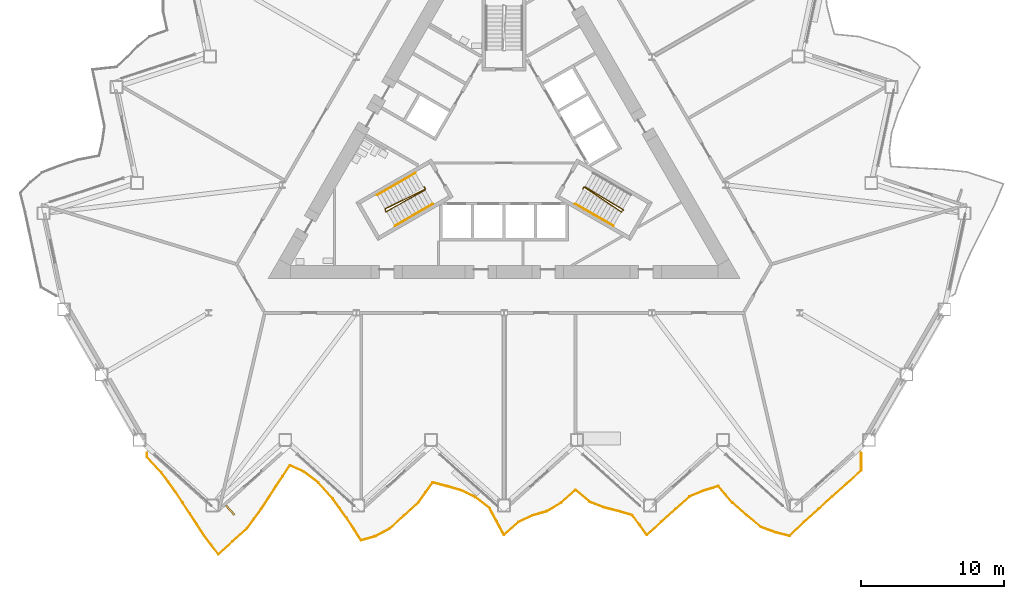
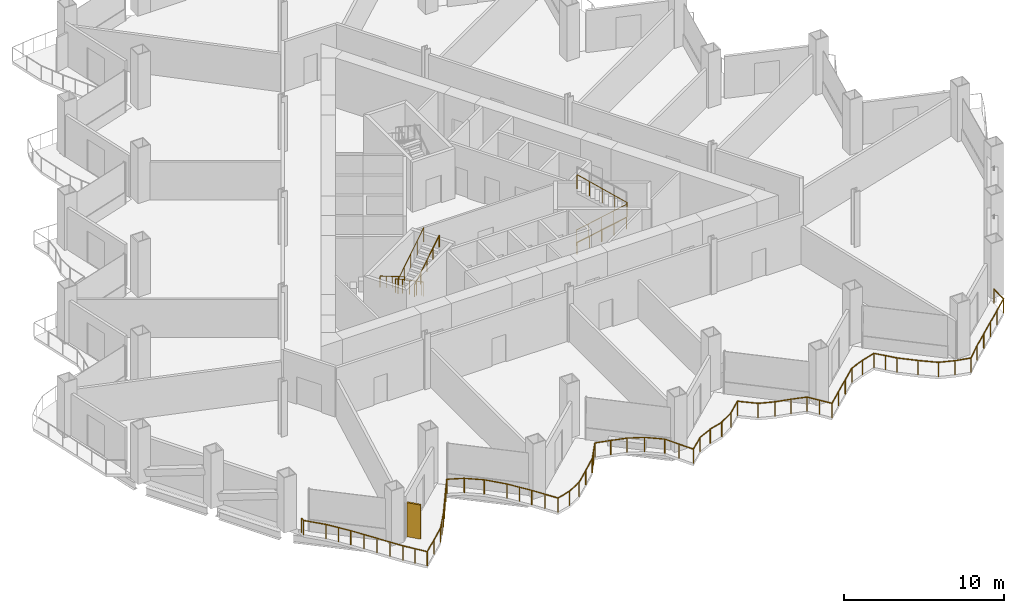
# One storey, part 17 of 21: 6 railings, 1 shading device.
"""IFC4 building model written with IfcOpenShell, lengths in metres."""

from ifc_helpers import new_model, si_unit, direction, frame, origin, origin_2d, place, context, subcontext, project, spatial, rectangle, circle, extrude, material, layer, layer_set, type_object, element, save


model = new_model("IFC4")

# Units and contexts
model_context = context("Model", 3, precision=1e-05, world=origin(), true_north=direction((0.0, 1.0)))
body_context = subcontext(model_context, "Body", "Model", "MODEL_VIEW")
ifc_project = project(units=[si_unit("LENGTHUNIT", "METRE"), si_unit("AREAUNIT", "SQUARE_METRE"), si_unit("VOLUMEUNIT", "CUBIC_METRE"), si_unit("PLANEANGLEUNIT", "RADIAN"), si_unit("MASSUNIT", "GRAM", prefix="KILO")], contexts=[model_context])

# Site, building, storey
site_placement = place(None, origin())
site = spatial("IfcSite", under=ifc_project, at=site_placement, CompositionType="ELEMENT")
building_placement = place(site_placement, origin())
building = spatial("IfcBuilding", under=site, at=building_placement, Name="Cormorant Prow Tower", CompositionType="ELEMENT")
storey_placement = place(building_placement, frame((0.0, 0.0, 103.800048828125)))
storey = spatial("IfcBuildingStorey", under=building, at=storey_placement, Name="L21", CompositionType="ELEMENT", Elevation=103.800048828125)

# Railings
ifc_material_1 = material(Name="Aluminium 6063-T6", Category="aluminium")
railing_type_1 = type_object("IfcRailingType", Name="Balcony guard 1100", PredefinedType="GUARDRAIL", material=ifc_material_1)
railing_1_placement = place(storey_placement, frame((-24.96337890625, -21.73486328125, 0.0)))
element("IfcRailing", 1, at=railing_1_placement, inside=storey, type_object=railing_type_1, Name="Balcony guard S", PredefinedType="GUARDRAIL", context=body_context, shape_type="SweptSolid", body=[
    extrude(circle(Radius=0.02392578125, at=origin_2d()), frame((0.0, 0.0, 1.076171875), z_axis=(0.0, -1.0, 0.0), x_axis=(1.0, 0.0, 0.0)), (0.0, 0.0, 1.0), 0.27001953125),
    extrude(circle(Radius=0.02392578125, at=origin_2d()), frame((0.0, -0.27001953125, 1.076171875), z_axis=(0.682579839343, -0.730811030925, 0.0), x_axis=(0.730811030925, 0.682579839343, 0.0)), (0.0, 0.0, 1.0), 1.462890625),
    extrude(circle(Radius=0.02392578125, at=origin_2d()), frame((0.99853515625, -1.339111328125, 1.076171875), z_axis=(0.590968956479, -0.806694299272, 0.0), x_axis=(0.806694299272, 0.590968956479, 0.0)), (0.0, 0.0, 1.0), 1.689697265625),
    extrude(circle(Radius=0.02392578125, at=origin_2d()), frame((1.9970703125, -2.7021484375, 1.076171875), z_axis=(0.546471548689, -0.837477669238, 0.0), x_axis=(0.837477669238, 0.546471548689, 0.0)), (0.0, 0.0, 1.0), 1.8271484375),
    extrude(circle(Radius=0.02392578125, at=origin_2d()), frame((2.99560546875, -4.232421875, 1.076171875), z_axis=(0.547389987267, -0.83687765046, 0.0), x_axis=(0.83687765046, 0.547389987267, 0.0)), (0.0, 0.0, 1.0), 1.82421875),
    extrude(circle(Radius=0.02392578125, at=origin_2d()), frame((3.994140625, -5.759033203125, 1.076171875), z_axis=(0.607268224345, -0.794496887156, 0.0), x_axis=(0.794496887156, 0.607268224345, 0.0)), (0.0, 0.0, 1.0), 1.644287109375),
    extrude(circle(Radius=0.02392578125, at=origin_2d()), frame((4.99267578125, -7.0654296875, 1.076171875), z_axis=(0.743203785227, 0.669065119121, 0.0), x_axis=(-0.669065119121, 0.743203785227, 0.0)), (0.0, 0.0, 1.0), 1.343505859375),
    extrude(circle(Radius=0.02392578125, at=origin_2d()), frame((5.9912109375, -6.16650390625, 1.076171875), z_axis=(0.743113432622, 0.669165470012, 0.0), x_axis=(-0.669165470012, 0.743113432622, 0.0)), (0.0, 0.0, 1.0), 1.34375),
    extrude(circle(Radius=0.02392578125, at=origin_2d()), frame((6.98974609375, -5.267333984375, 1.076171875), z_axis=(0.591934476972, 0.805986088572, 0.0), x_axis=(-0.805986088572, 0.591934476972, 0.0)), (0.0, 0.0, 1.0), 1.68701171875),
    extrude(circle(Radius=0.02392578125, at=origin_2d()), frame((7.98828125, -3.90771484375, 1.076171875), z_axis=(0.545494552009, 0.838114367928, 0.0), x_axis=(-0.838114367928, 0.545494552009, 0.0)), (0.0, 0.0, 1.0), 1.83056640625),
    extrude(circle(Radius=0.02392578125, at=origin_2d()), frame((8.98681640625, -2.37353515625, 1.076171875), z_axis=(0.54861835164, 0.836072906057, 0.0), x_axis=(-0.836072906057, 0.54861835164, 0.0)), (0.0, 0.0, 1.0), 1.820068359375),
    extrude(circle(Radius=0.02392578125, at=origin_2d()), frame((9.9853515625, -0.851806640625, 1.076171875), z_axis=(0.908945537038, -0.416914872245, 0.0), x_axis=(0.416914872245, 0.908945537038, 0.0)), (0.0, 0.0, 1.0), 1.0986328125),
    extrude(circle(Radius=0.02392578125, at=origin_2d()), frame((10.98388671875, -1.309814453125, 1.076171875), z_axis=(0.795730852914, -0.60565040223, 0.0), x_axis=(0.60565040223, 0.795730852914, 0.0)), (0.0, 0.0, 1.0), 1.2548828125),
    extrude(circle(Radius=0.02392578125, at=origin_2d()), frame((11.982421875, -2.06982421875, 1.076171875), z_axis=(0.672345440589, -0.740237535201, 0.0), x_axis=(0.740237535201, 0.672345440589, 0.0)), (0.0, 0.0, 1.0), 1.485107421875),
    extrude(circle(Radius=0.02392578125, at=origin_2d()), frame((12.98095703125, -3.169189453125, 1.076171875), z_axis=(0.584884728134, -0.811116424933, 0.0), x_axis=(0.811116424933, 0.584884728134, 0.0)), (0.0, 0.0, 1.0), 1.707275390625),
    extrude(circle(Radius=0.02392578125, at=origin_2d()), frame((13.9794921875, -4.553955078125, 1.076171875), z_axis=(0.544641936525, -0.838668683676, 0.0), x_axis=(0.838668683676, 0.544641936525, 0.0)), (0.0, 0.0, 1.0), 1.83349609375),
    extrude(circle(Radius=0.02392578125, at=origin_2d()), frame((14.97802734375, -6.091552734375, 1.076171875), z_axis=(0.962547362073, 0.271113584623, 0.0), x_axis=(-0.271113584623, 0.962547362073, 0.0)), (0.0, 0.0, 1.0), 1.037353515625),
    extrude(circle(Radius=0.02392578125, at=origin_2d()), frame((15.9765625, -5.810302734375, 1.076171875), z_axis=(0.878518696106, 0.477707965804, 0.0), x_axis=(-0.477707965804, 0.878518696106, 0.0)), (0.0, 0.0, 1.0), 1.13671875),
    extrude(circle(Radius=0.02392578125, at=origin_2d()), frame((16.97509765625, -5.267333984375, 1.076171875), z_axis=(0.743113432622, 0.669165470012, 0.0), x_axis=(-0.669165470012, 0.743113432622, 0.0)), (0.0, 0.0, 1.0), 1.34375),
    extrude(circle(Radius=0.02392578125, at=origin_2d()), frame((17.9736328125, -4.3681640625, 1.076171875), z_axis=(0.736271766287, 0.676685958306, 0.0), x_axis=(-0.676685958306, 0.736271766287, 0.0)), (0.0, 0.0, 1.0), 1.356201171875),
    extrude(circle(Radius=0.02392578125, at=origin_2d()), frame((18.97216796875, -3.450439453125, 1.076171875), z_axis=(0.582045609619, 0.813156140187, 0.0), x_axis=(-0.813156140187, 0.582045609619, 0.0)), (0.0, 0.0, 1.0), 1.715576171875),
    extrude(circle(Radius=0.02392578125, at=origin_2d()), frame((19.970703125, -2.055419921875, 1.076171875), z_axis=(0.968362271516, -0.249548614713, 0.0), x_axis=(0.249548614713, 0.968362271516, 0.0)), (0.0, 0.0, 1.0), 1.03125),
    extrude(circle(Radius=0.02392578125, at=origin_2d()), frame((20.96923828125, -2.312744140625, 1.076171875), z_axis=(0.961248532292, -0.275683258772, 0.0), x_axis=(0.275683258772, 0.961248532292, 0.0)), (0.0, 0.0, 1.0), 1.038818359375),
    extrude(circle(Radius=0.02392578125, at=origin_2d()), frame((21.9677734375, -2.59912109375, 1.076171875), z_axis=(0.90050704503, -0.4348414215, 0.0), x_axis=(0.4348414215, 0.90050704503, 0.0)), (0.0, 0.0, 1.0), 1.10888671875),
    extrude(circle(Radius=0.02392578125, at=origin_2d()), frame((22.96630859375, -3.081298828125, 1.076171875), z_axis=(0.783851476341, -0.620948357786, 0.0), x_axis=(0.620948357786, 0.783851476341, 0.0)), (0.0, 0.0, 1.0), 1.27392578125),
    extrude(circle(Radius=0.02392578125, at=origin_2d()), frame((23.96484375, -3.872314453125, 1.076171875), z_axis=(0.476320665365, -0.879271643889, 0.0), x_axis=(0.879271643889, 0.476320665365, 0.0)), (0.0, 0.0, 1.0), 2.096435546875),
    extrude(circle(Radius=0.02392578125, at=origin_2d()), frame((24.96337890625, -5.715576171875, 1.076171875), z_axis=(0.743113432622, 0.669165470012, 0.0), x_axis=(-0.669165470012, 0.743113432622, 0.0)), (0.0, 0.0, 1.0), 1.34375),
    extrude(circle(Radius=0.02392578125, at=origin_2d()), frame((25.9619140625, -4.81640625, 1.076171875), z_axis=(0.907426176512, 0.42021153504, 0.0), x_axis=(-0.42021153504, 0.907426176512, 0.0)), (0.0, 0.0, 1.0), 1.100341796875),
    extrude(circle(Radius=0.02392578125, at=origin_2d()), frame((26.96044921875, -4.35400390625, 1.076171875), z_axis=(0.959805272893, 0.280666774176, 0.0), x_axis=(-0.280666774176, 0.959805272893, 0.0)), (0.0, 0.0, 1.0), 1.040283203125),
    extrude(circle(Radius=0.02392578125, at=origin_2d()), frame((27.958984375, -4.06201171875, 1.076171875), z_axis=(0.85989512001, 0.51047074606, 0.0), x_axis=(-0.51047074606, 0.85989512001, 0.0)), (0.0, 0.0, 1.0), 1.1611328125),
    extrude(circle(Radius=0.02392578125, at=origin_2d()), frame((28.95751953125, -3.46923828125, 1.076171875), z_axis=(0.743113432622, 0.669165470012, 0.0), x_axis=(-0.669165470012, 0.743113432622, 0.0)), (0.0, 0.0, 1.0), 1.34375),
    extrude(circle(Radius=0.02392578125, at=origin_2d()), frame((29.9560546875, -2.570068359375, 1.076171875), z_axis=(0.763457084492, -0.645858560475, 0.0), x_axis=(0.645858560475, 0.763457084492, 0.0)), (0.0, 0.0, 1.0), 1.307861328125),
    extrude(circle(Radius=0.02392578125, at=origin_2d()), frame((30.95458984375, -3.414794921875, 1.076171875), z_axis=(0.933657077143, -0.358168203921, 0.0), x_axis=(0.358168203921, 0.933657077143, 0.0)), (0.0, 0.0, 1.0), 1.069580078125),
    extrude(circle(Radius=0.02392578125, at=origin_2d()), frame((31.953125, -3.7978515625, 1.076171875), z_axis=(0.969441353557, -0.245323178712, 0.0), x_axis=(0.245323178712, 0.969441353557, 0.0)), (0.0, 0.0, 1.0), 1.030029296875),
    extrude(circle(Radius=0.02392578125, at=origin_2d()), frame((32.95166015625, -4.050537109375, 1.076171875), z_axis=(0.958212304313, -0.286058000872, 0.0), x_axis=(0.286058000872, 0.958212304313, 0.0)), (0.0, 0.0, 1.0), 1.0419921875),
    extrude(circle(Radius=0.02392578125, at=origin_2d()), frame((33.9501953125, -4.3486328125, 1.076171875), z_axis=(0.5898683241, -0.807499449055, 0.0), x_axis=(0.807499449055, 0.5898683241, 0.0)), (0.0, 0.0, 1.0), 1.69287109375),
    extrude(circle(Radius=0.02392578125, at=origin_2d()), frame((34.94873046875, -5.715576171875, 1.076171875), z_axis=(0.743113432622, 0.669165470012, 0.0), x_axis=(-0.669165470012, 0.743113432622, 0.0)), (0.0, 0.0, 1.0), 1.34375),
    extrude(circle(Radius=0.02392578125, at=origin_2d()), frame((35.947265625, -4.81640625, 1.076171875), z_axis=(0.743113432622, 0.669165470012, 0.0), x_axis=(-0.669165470012, 0.743113432622, 0.0)), (0.0, 0.0, 1.0), 1.34375),
    extrude(circle(Radius=0.02392578125, at=origin_2d()), frame((36.94580078125, -3.917236328125, 1.076171875), z_axis=(0.743203785227, 0.669065119121, 0.0), x_axis=(-0.669065119121, 0.743203785227, 0.0)), (0.0, 0.0, 1.0), 1.343505859375),
    extrude(circle(Radius=0.02392578125, at=origin_2d()), frame((37.9443359375, -3.018310546875, 1.076171875), z_axis=(0.927535321824, 0.373735503757, 0.0), x_axis=(-0.373735503757, 0.927535321824, 0.0)), (0.0, 0.0, 1.0), 1.07666015625),
    extrude(circle(Radius=0.02392578125, at=origin_2d()), frame((38.94287109375, -2.615966796875, 1.076171875), z_axis=(0.956594534047, 0.291422197903, 0.0), x_axis=(-0.291422197903, 0.956594534047, 0.0)), (0.0, 0.0, 1.0), 1.0439453125),
    extrude(circle(Radius=0.02392578125, at=origin_2d()), frame((39.94140625, -2.311767578125, 1.076171875), z_axis=(0.653208122413, -0.757178412802, 0.0), x_axis=(0.757178412802, 0.653208122413, 0.0)), (0.0, 0.0, 1.0), 1.528564453125),
    extrude(circle(Radius=0.02392578125, at=origin_2d()), frame((40.93994140625, -3.46923828125, 1.076171875), z_axis=(0.743203785227, -0.669065119121, 0.0), x_axis=(0.669065119121, 0.743203785227, 0.0)), (0.0, 0.0, 1.0), 1.343505859375),
    extrude(circle(Radius=0.02392578125, at=origin_2d()), frame((41.9384765625, -4.3681640625, 1.076171875), z_axis=(0.777798148966, -0.62851415216, 0.0), x_axis=(0.62851415216, 0.777798148966, 0.0)), (0.0, 0.0, 1.0), 1.28369140625),
    extrude(circle(Radius=0.02392578125, at=origin_2d()), frame((42.93701171875, -5.175048828125, 1.076171875), z_axis=(0.939444203262, -0.342701895175, 0.0), x_axis=(0.342701895175, 0.939444203262, 0.0)), (0.0, 0.0, 1.0), 1.06298828125),
    extrude(circle(Radius=0.02392578125, at=origin_2d()), frame((43.935546875, -5.539306640625, 1.076171875), z_axis=(0.970226166734, -0.242200713016, 0.0), x_axis=(0.242200713016, 0.970226166734, 0.0)), (0.0, 0.0, 1.0), 1.029296875),
    extrude(circle(Radius=0.02392578125, at=origin_2d()), frame((44.93408203125, -5.78857421875, 1.076171875), z_axis=(0.716503446644, 0.697583551231, 0.0), x_axis=(-0.697583551231, 0.716503446644, 0.0)), (0.0, 0.0, 1.0), 1.3935546875),
    extrude(circle(Radius=0.02392578125, at=origin_2d()), frame((45.9326171875, -4.81640625, 1.076171875), z_axis=(0.743113432622, 0.669165470012, 0.0), x_axis=(-0.669165470012, 0.743113432622, 0.0)), (0.0, 0.0, 1.0), 1.34375),
    extrude(circle(Radius=0.02392578125, at=origin_2d()), frame((46.93115234375, -3.917236328125, 1.076171875), z_axis=(0.743203785227, 0.669065119121, 0.0), x_axis=(-0.669065119121, 0.743203785227, 0.0)), (0.0, 0.0, 1.0), 1.343505859375),
    extrude(circle(Radius=0.02392578125, at=origin_2d()), frame((47.9296875, -3.018310546875, 1.076171875), z_axis=(0.743113432622, 0.669165470012, 0.0), x_axis=(-0.669165470012, 0.743113432622, 0.0)), (0.0, 0.0, 1.0), 1.34375),
    extrude(circle(Radius=0.02392578125, at=origin_2d()), frame((48.92822265625, -2.119140625, 1.076171875), z_axis=(0.743113432622, 0.669165470012, 0.0), x_axis=(-0.669165470012, 0.743113432622, 0.0)), (0.0, 0.0, 1.0), 1.34375),
    extrude(circle(Radius=0.02392578125, at=origin_2d()), frame((49.9267578125, -1.219970703125, 1.076171875), z_axis=(0.0, 1.0, 0.0), x_axis=(-1.0, 0.0, 0.0)), (0.0, 0.0, 1.0), 1.219970703125),
    extrude(circle(Radius=0.02099609375, at=origin_2d()), origin(), (0.0, 0.0, 1.0), 1.052001953125),
    extrude(circle(Radius=0.02099609375, at=origin_2d()), frame((0.0, -0.27001953125, 0.0)), (0.0, 0.0, 1.0), 1.052001953125),
    extrude(circle(Radius=0.02099609375, at=origin_2d()), frame((0.99853515625, -1.339111328125, 0.0)), (0.0, 0.0, 1.0), 1.052001953125),
    extrude(circle(Radius=0.02099609375, at=origin_2d()), frame((1.497802734375, -2.0205078125, 0.0)), (0.0, 0.0, 1.0), 1.052001953125),
    extrude(circle(Radius=0.02099609375, at=origin_2d()), frame((1.9970703125, -2.7021484375, 0.0)), (0.0, 0.0, 1.0), 1.052001953125),
    extrude(circle(Radius=0.02099609375, at=origin_2d()), frame((2.496337890625, -3.46728515625, 0.0)), (0.0, 0.0, 1.0), 1.052001953125),
    extrude(circle(Radius=0.02099609375, at=origin_2d()), frame((2.99560546875, -4.232421875, 0.0)), (0.0, 0.0, 1.0), 1.052001953125),
    extrude(circle(Radius=0.02099609375, at=origin_2d()), frame((3.494873046875, -4.99560546875, 0.0)), (0.0, 0.0, 1.0), 1.052001953125),
    extrude(circle(Radius=0.02099609375, at=origin_2d()), frame((3.994140625, -5.759033203125, 0.0)), (0.0, 0.0, 1.0), 1.052001953125),
    extrude(circle(Radius=0.02099609375, at=origin_2d()), frame((4.493408203125, -6.412109375, 0.0)), (0.0, 0.0, 1.0), 1.052001953125),
    extrude(circle(Radius=0.02099609375, at=origin_2d()), frame((4.99267578125, -7.0654296875, 0.0)), (0.0, 0.0, 1.0), 1.052001953125),
    extrude(circle(Radius=0.02099609375, at=origin_2d()), frame((5.9912109375, -6.16650390625, 0.0)), (0.0, 0.0, 1.0), 1.052001953125),
    extrude(circle(Radius=0.02099609375, at=origin_2d()), frame((6.98974609375, -5.267333984375, 0.0)), (0.0, 0.0, 1.0), 1.052001953125),
    extrude(circle(Radius=0.02099609375, at=origin_2d()), frame((7.489013671875, -4.58740234375, 0.0)), (0.0, 0.0, 1.0), 1.052001953125),
    extrude(circle(Radius=0.02099609375, at=origin_2d()), frame((7.98828125, -3.90771484375, 0.0)), (0.0, 0.0, 1.0), 1.052001953125),
    extrude(circle(Radius=0.02099609375, at=origin_2d()), frame((8.487548828125, -3.140625, 0.0)), (0.0, 0.0, 1.0), 1.052001953125),
    extrude(circle(Radius=0.02099609375, at=origin_2d()), frame((8.98681640625, -2.37353515625, 0.0)), (0.0, 0.0, 1.0), 1.052001953125),
    extrude(circle(Radius=0.02099609375, at=origin_2d()), frame((9.486083984375, -1.61279296875, 0.0)), (0.0, 0.0, 1.0), 1.052001953125),
    extrude(circle(Radius=0.02099609375, at=origin_2d()), frame((9.9853515625, -0.851806640625, 0.0)), (0.0, 0.0, 1.0), 1.052001953125),
    extrude(circle(Radius=0.02099609375, at=origin_2d()), frame((10.98388671875, -1.309814453125, 0.0)), (0.0, 0.0, 1.0), 1.052001953125),
    extrude(circle(Radius=0.02099609375, at=origin_2d()), frame((11.982421875, -2.06982421875, 0.0)), (0.0, 0.0, 1.0), 1.052001953125),
    extrude(circle(Radius=0.02099609375, at=origin_2d()), frame((12.98095703125, -3.169189453125, 0.0)), (0.0, 0.0, 1.0), 1.052001953125),
    extrude(circle(Radius=0.02099609375, at=origin_2d()), frame((13.480224609375, -3.861572265625, 0.0)), (0.0, 0.0, 1.0), 1.052001953125),
    extrude(circle(Radius=0.02099609375, at=origin_2d()), frame((13.9794921875, -4.553955078125, 0.0)), (0.0, 0.0, 1.0), 1.052001953125),
    extrude(circle(Radius=0.02099609375, at=origin_2d()), frame((14.478759765625, -5.32275390625, 0.0)), (0.0, 0.0, 1.0), 1.052001953125),
    extrude(circle(Radius=0.02099609375, at=origin_2d()), frame((14.97802734375, -6.091552734375, 0.0)), (0.0, 0.0, 1.0), 1.052001953125),
    extrude(circle(Radius=0.02099609375, at=origin_2d()), frame((15.9765625, -5.810302734375, 0.0)), (0.0, 0.0, 1.0), 1.052001953125),
    extrude(circle(Radius=0.02099609375, at=origin_2d()), frame((16.97509765625, -5.267333984375, 0.0)), (0.0, 0.0, 1.0), 1.052001953125),
    extrude(circle(Radius=0.02099609375, at=origin_2d()), frame((17.9736328125, -4.3681640625, 0.0)), (0.0, 0.0, 1.0), 1.052001953125),
    extrude(circle(Radius=0.02099609375, at=origin_2d()), frame((18.97216796875, -3.450439453125, 0.0)), (0.0, 0.0, 1.0), 1.052001953125),
    extrude(circle(Radius=0.02099609375, at=origin_2d()), frame((19.471435546875, -2.7529296875, 0.0)), (0.0, 0.0, 1.0), 1.052001953125),
    extrude(circle(Radius=0.02099609375, at=origin_2d()), frame((19.970703125, -2.055419921875, 0.0)), (0.0, 0.0, 1.0), 1.052001953125),
    extrude(circle(Radius=0.02099609375, at=origin_2d()), frame((20.96923828125, -2.312744140625, 0.0)), (0.0, 0.0, 1.0), 1.052001953125),
    extrude(circle(Radius=0.02099609375, at=origin_2d()), frame((21.9677734375, -2.59912109375, 0.0)), (0.0, 0.0, 1.0), 1.052001953125),
    extrude(circle(Radius=0.02099609375, at=origin_2d()), frame((22.96630859375, -3.081298828125, 0.0)), (0.0, 0.0, 1.0), 1.052001953125),
    extrude(circle(Radius=0.02099609375, at=origin_2d()), frame((23.96484375, -3.872314453125, 0.0)), (0.0, 0.0, 1.0), 1.052001953125),
    extrude(circle(Radius=0.02099609375, at=origin_2d()), frame((24.464111328125, -4.7939453125, 0.0)), (0.0, 0.0, 1.0), 1.052001953125),
    extrude(circle(Radius=0.02099609375, at=origin_2d()), frame((24.96337890625, -5.715576171875, 0.0)), (0.0, 0.0, 1.0), 1.052001953125),
    extrude(circle(Radius=0.02099609375, at=origin_2d()), frame((25.9619140625, -4.81640625, 0.0)), (0.0, 0.0, 1.0), 1.052001953125),
    extrude(circle(Radius=0.02099609375, at=origin_2d()), frame((26.96044921875, -4.35400390625, 0.0)), (0.0, 0.0, 1.0), 1.052001953125),
    extrude(circle(Radius=0.02099609375, at=origin_2d()), frame((27.958984375, -4.06201171875, 0.0)), (0.0, 0.0, 1.0), 1.052001953125),
    extrude(circle(Radius=0.02099609375, at=origin_2d()), frame((28.95751953125, -3.46923828125, 0.0)), (0.0, 0.0, 1.0), 1.052001953125),
    extrude(circle(Radius=0.02099609375, at=origin_2d()), frame((29.9560546875, -2.570068359375, 0.0)), (0.0, 0.0, 1.0), 1.052001953125),
    extrude(circle(Radius=0.02099609375, at=origin_2d()), frame((30.95458984375, -3.414794921875, 0.0)), (0.0, 0.0, 1.0), 1.052001953125),
    extrude(circle(Radius=0.02099609375, at=origin_2d()), frame((31.953125, -3.7978515625, 0.0)), (0.0, 0.0, 1.0), 1.052001953125),
    extrude(circle(Radius=0.02099609375, at=origin_2d()), frame((32.95166015625, -4.050537109375, 0.0)), (0.0, 0.0, 1.0), 1.052001953125),
    extrude(circle(Radius=0.02099609375, at=origin_2d()), frame((33.9501953125, -4.3486328125, 0.0)), (0.0, 0.0, 1.0), 1.052001953125),
    extrude(circle(Radius=0.02099609375, at=origin_2d()), frame((34.449462890625, -5.0322265625, 0.0)), (0.0, 0.0, 1.0), 1.052001953125),
    extrude(circle(Radius=0.02099609375, at=origin_2d()), frame((34.94873046875, -5.715576171875, 0.0)), (0.0, 0.0, 1.0), 1.052001953125),
    extrude(circle(Radius=0.02099609375, at=origin_2d()), frame((35.947265625, -4.81640625, 0.0)), (0.0, 0.0, 1.0), 1.052001953125),
    extrude(circle(Radius=0.02099609375, at=origin_2d()), frame((36.94580078125, -3.917236328125, 0.0)), (0.0, 0.0, 1.0), 1.052001953125),
    extrude(circle(Radius=0.02099609375, at=origin_2d()), frame((37.9443359375, -3.018310546875, 0.0)), (0.0, 0.0, 1.0), 1.052001953125),
    extrude(circle(Radius=0.02099609375, at=origin_2d()), frame((38.94287109375, -2.615966796875, 0.0)), (0.0, 0.0, 1.0), 1.052001953125),
    extrude(circle(Radius=0.02099609375, at=origin_2d()), frame((39.94140625, -2.311767578125, 0.0)), (0.0, 0.0, 1.0), 1.052001953125),
    extrude(circle(Radius=0.02099609375, at=origin_2d()), frame((40.440673828125, -2.890625, 0.0)), (0.0, 0.0, 1.0), 1.052001953125),
    extrude(circle(Radius=0.02099609375, at=origin_2d()), frame((40.93994140625, -3.46923828125, 0.0)), (0.0, 0.0, 1.0), 1.052001953125),
    extrude(circle(Radius=0.02099609375, at=origin_2d()), frame((41.9384765625, -4.3681640625, 0.0)), (0.0, 0.0, 1.0), 1.052001953125),
    extrude(circle(Radius=0.02099609375, at=origin_2d()), frame((42.93701171875, -5.175048828125, 0.0)), (0.0, 0.0, 1.0), 1.052001953125),
    extrude(circle(Radius=0.02099609375, at=origin_2d()), frame((43.935546875, -5.539306640625, 0.0)), (0.0, 0.0, 1.0), 1.052001953125),
    extrude(circle(Radius=0.02099609375, at=origin_2d()), frame((44.93408203125, -5.78857421875, 0.0)), (0.0, 0.0, 1.0), 1.052001953125),
    extrude(circle(Radius=0.02099609375, at=origin_2d()), frame((45.9326171875, -4.81640625, 0.0)), (0.0, 0.0, 1.0), 1.052001953125),
    extrude(circle(Radius=0.02099609375, at=origin_2d()), frame((46.93115234375, -3.917236328125, 0.0)), (0.0, 0.0, 1.0), 1.052001953125),
    extrude(circle(Radius=0.02099609375, at=origin_2d()), frame((47.9296875, -3.018310546875, 0.0)), (0.0, 0.0, 1.0), 1.052001953125),
    extrude(circle(Radius=0.02099609375, at=origin_2d()), frame((48.92822265625, -2.119140625, 0.0)), (0.0, 0.0, 1.0), 1.052001953125),
    extrude(circle(Radius=0.02099609375, at=origin_2d()), frame((49.9267578125, -1.219970703125, 0.0)), (0.0, 0.0, 1.0), 1.052001953125),
    extrude(circle(Radius=0.02099609375, at=origin_2d()), frame((49.9267578125, 0.0, 0.0)), (0.0, 0.0, 1.0), 1.052001953125),
])
ifc_material_2 = material(Name="Stainless steel", Category="steel")
railing_type_2 = type_object("IfcRailingType", Name="Stair guard 1100", PredefinedType="GUARDRAIL", material=ifc_material_2)
railing_2_placement = place(storey_placement, frame((-5.585205078125, -3.137939453125, 0.0)))
element("IfcRailing", 2, at=railing_2_placement, inside=storey, type_object=railing_type_2, Name="L21 ST1 stair guard 1", PredefinedType="GUARDRAIL", context=body_context, shape_type="SweptSolid", body=[
    extrude(circle(Radius=0.02392578125, at=origin_2d()), frame((0.0, 0.0, 1.076171875), z_axis=(0.501036270542, -0.865426285481, 0.0), x_axis=(0.865426285481, 0.501036270542, 0.0)), (0.0, 0.0, 1.0), 0.150146484375),
    extrude(circle(Radius=0.02392578125, at=origin_2d()), frame((0.0751953125, -0.1298828125, 1.076171875), z_axis=(-0.744670798681, -0.368745611333, 0.556320119817), x_axis=(0.443754251299, -0.896148516963, 0.0)), (0.0, 0.0, 1.0), 3.774658203125),
    extrude(circle(Radius=0.02392578125, at=origin_2d()), frame((-2.735595703125, -1.521728515625, 3.17578125), z_axis=(0.274721127897, -0.961523947641, 0.0), x_axis=(0.961523947641, 0.274721127897, 0.0)), (0.0, 0.0, 1.0), 0.2060546875),
    extrude(circle(Radius=0.02392578125, at=origin_2d()), frame((-2.678955078125, -1.719970703125, 3.17578125), z_axis=(0.725738344322, 0.403670096391, 0.557094524171), x_axis=(-0.486086505765, 0.873910698477, 0.0)), (0.0, 0.0, 1.0), 3.769775390625),
    extrude(circle(Radius=0.02099609375, at=origin_2d()), origin(), (0.0, 0.0, 1.0), 1.052001953125),
    extrude(circle(Radius=0.02099609375, at=origin_2d()), frame((0.0751953125, -0.1298828125, 0.0)), (0.0, 0.0, 1.0), 1.052001953125),
    extrude(circle(Radius=0.02099609375, at=origin_2d()), frame((-0.62744140625, -0.477783203125, 0.52490234375)), (0.0, 0.0, 1.0), 1.052001953125),
    extrude(circle(Radius=0.02099609375, at=origin_2d()), frame((-1.330078125, -0.82568359375, 1.0498046875)), (0.0, 0.0, 1.0), 1.052001953125),
    extrude(circle(Radius=0.02099609375, at=origin_2d()), frame((-2.032958984375, -1.173828125, 1.574951171875)), (0.0, 0.0, 1.0), 1.052001953125),
    extrude(circle(Radius=0.02099609375, at=origin_2d()), frame((-2.735595703125, -1.521728515625, 2.099853515625)), (0.0, 0.0, 1.0), 1.052001953125),
    extrude(circle(Radius=0.02099609375, at=origin_2d()), frame((-2.678955078125, -1.719970703125, 2.099853515625)), (0.0, 0.0, 1.0), 1.052001953125),
    extrude(circle(Radius=0.02099609375, at=origin_2d()), frame((-1.9951171875, -1.339599609375, 2.625)), (0.0, 0.0, 1.0), 1.052001953125),
    extrude(circle(Radius=0.02099609375, at=origin_2d()), frame((-1.31103515625, -0.958984375, 3.14990234375)), (0.0, 0.0, 1.0), 1.052001953125),
    extrude(circle(Radius=0.02099609375, at=origin_2d()), frame((-0.626953125, -0.57861328125, 3.6748046875)), (0.0, 0.0, 1.0), 1.052001953125),
    extrude(circle(Radius=0.02099609375, at=origin_2d()), frame((0.056884765625, -0.1982421875, 4.199951171875)), (0.0, 0.0, 1.0), 1.052001953125),
])
railing_3_placement = place(storey_placement, frame((5.510009765625, -3.267822265625, 0.0)))
element("IfcRailing", 3, at=railing_3_placement, inside=storey, type_object=railing_type_2, Name="L21 ST2 stair guard 1", PredefinedType="GUARDRAIL", context=body_context, shape_type="SweptSolid", body=[
    extrude(circle(Radius=0.02392578125, at=origin_2d()), frame((0.0, 0.0, 1.076171875), z_axis=(0.501036270542, 0.865426285481, 0.0), x_axis=(-0.865426285481, 0.501036270542, 0.0)), (0.0, 0.0, 1.0), 0.150146484375),
    extrude(circle(Radius=0.02392578125, at=origin_2d()), frame((0.0751953125, 0.1298828125, 1.076171875), z_axis=(0.691655524431, -0.460543096787, 0.55633864824), x_axis=(0.554233058506, 0.832361530141, 0.0)), (0.0, 0.0, 1.0), 3.7744140625),
    extrude(circle(Radius=0.02392578125, at=origin_2d()), frame((2.685791015625, -1.6083984375, 3.17578125), z_axis=(0.695164929852, 0.718850276695, 0.0), x_axis=(-0.718850276695, 0.695164929852, 0.0)), (0.0, 0.0, 1.0), 0.2060546875),
    extrude(circle(Radius=0.02392578125, at=origin_2d()), frame((2.8291015625, -1.460205078125, 3.17578125), z_axis=(-0.712463317363, 0.426661970256, 0.557095669117), x_axis=(-0.513773053629, -0.857926132814, 0.0)), (0.0, 0.0, 1.0), 3.769775390625),
    extrude(circle(Radius=0.02099609375, at=origin_2d()), origin(), (0.0, 0.0, 1.0), 1.052001953125),
    extrude(circle(Radius=0.02099609375, at=origin_2d()), frame((0.0751953125, 0.1298828125, 0.0)), (0.0, 0.0, 1.0), 1.052001953125),
    extrude(circle(Radius=0.02099609375, at=origin_2d()), frame((0.727783203125, -0.3046875, 0.52490234375)), (0.0, 0.0, 1.0), 1.052001953125),
    extrude(circle(Radius=0.02099609375, at=origin_2d()), frame((1.38037109375, -0.7392578125, 1.0498046875)), (0.0, 0.0, 1.0), 1.052001953125),
    extrude(circle(Radius=0.02099609375, at=origin_2d()), frame((2.033203125, -1.173828125, 1.574951171875)), (0.0, 0.0, 1.0), 1.052001953125),
    extrude(circle(Radius=0.02099609375, at=origin_2d()), frame((2.685791015625, -1.6083984375, 2.099853515625)), (0.0, 0.0, 1.0), 1.052001953125),
    extrude(circle(Radius=0.02099609375, at=origin_2d()), frame((2.8291015625, -1.460205078125, 2.099853515625)), (0.0, 0.0, 1.0), 1.052001953125),
    extrude(circle(Radius=0.02099609375, at=origin_2d()), frame((2.15771484375, -1.05810546875, 2.625)), (0.0, 0.0, 1.0), 1.052001953125),
    extrude(circle(Radius=0.02099609375, at=origin_2d()), frame((1.486328125, -0.656005859375, 3.14990234375)), (0.0, 0.0, 1.0), 1.052001953125),
    extrude(circle(Radius=0.02099609375, at=origin_2d()), frame((0.814697265625, -0.25390625, 3.6748046875)), (0.0, 0.0, 1.0), 1.052001953125),
    extrude(circle(Radius=0.02099609375, at=origin_2d()), frame((0.143310546875, 0.148193359375, 4.199951171875)), (0.0, 0.0, 1.0), 1.052001953125),
])
ifc_material_3 = material(Name="Stainless steel", Category="steel")
railing_type_3 = type_object("IfcRailingType", Name="Stair handrail 900", PredefinedType="HANDRAIL", material=ifc_material_3)
railing_4_placement = place(storey_placement, frame((-6.212890625, -2.150634765625, 0.175048828125)))
element("IfcRailing", 4, at=railing_4_placement, inside=storey, type_object=railing_type_3, Name="L21 ST1 stair handrail 1", PredefinedType="HANDRAIL", context=body_context, shape_type="SweptSolid", body=[
    extrude(circle(Radius=0.02392578125, at=origin_2d()), frame((0.0, 0.0, 0.8759765625), z_axis=(-0.734421155904, -0.424009578203, 0.529944755001), x_axis=(0.499992328818, -0.866029832698, 0.0)), (0.0, 0.0, 1.0), 3.632080078125),
    extrude(circle(Radius=0.02099609375, at=origin_2d()), origin(), (0.0, 0.0, 1.0), 0.851806640625),
    extrude(circle(Radius=0.02099609375, at=origin_2d()), frame((-0.6669921875, -0.385009765625, 0.481201171875)), (0.0, 0.0, 1.0), 0.851806640625),
    extrude(circle(Radius=0.02099609375, at=origin_2d()), frame((-1.333740234375, -0.77001953125, 0.96240234375)), (0.0, 0.0, 1.0), 0.851806640625),
    extrude(circle(Radius=0.02099609375, at=origin_2d()), frame((-2.00048828125, -1.155029296875, 1.443603515625)), (0.0, 0.0, 1.0), 0.851806640625),
    extrude(circle(Radius=0.02099609375, at=origin_2d()), frame((-2.66748046875, -1.5400390625, 1.9248046875)), (0.0, 0.0, 1.0), 0.851806640625),
])
railing_5_placement = place(storey_placement, frame((-7.63623046875, -5.84521484375, 2.27490234375)))
element("IfcRailing", 5, at=railing_5_placement, inside=storey, type_object=railing_type_3, Name="L21 ST1 stair handrail 2", PredefinedType="HANDRAIL", context=body_context, shape_type="SweptSolid", body=[
    extrude(circle(Radius=0.02392578125, at=origin_2d()), frame((0.0, 0.0, 0.8759765625), z_axis=(0.734364028329, 0.424015404183, 0.530019255228), x_axis=(-0.500026652407, 0.866010015463, 0.0)), (0.0, 0.0, 1.0), 3.632080078125),
    extrude(circle(Radius=0.02099609375, at=origin_2d()), origin(), (0.0, 0.0, 1.0), 0.851806640625),
    extrude(circle(Radius=0.02099609375, at=origin_2d()), frame((0.666748046875, 0.385009765625, 0.481201171875)), (0.0, 0.0, 1.0), 0.851806640625),
    extrude(circle(Radius=0.02099609375, at=origin_2d()), frame((1.33349609375, 0.77001953125, 0.96240234375)), (0.0, 0.0, 1.0), 0.851806640625),
    extrude(circle(Radius=0.02099609375, at=origin_2d()), frame((2.00048828125, 1.155029296875, 1.44384765625)), (0.0, 0.0, 1.0), 0.851806640625),
    extrude(circle(Radius=0.02099609375, at=origin_2d()), frame((2.667236328125, 1.5400390625, 1.925048828125)), (0.0, 0.0, 1.0), 0.851806640625),
])
railing_6_placement = place(storey_placement, frame((4.968994140625, -4.30517578125, 0.175048828125)))
element("IfcRailing", 6, at=railing_6_placement, inside=storey, type_object=railing_type_3, Name="L21 ST2 stair handrail 1", PredefinedType="HANDRAIL", context=body_context, shape_type="SweptSolid", body=[
    extrude(circle(Radius=0.02392578125, at=origin_2d()), frame((0.0, 0.0, 0.8759765625), z_axis=(0.734390191396, -0.42403051051, 0.529970917068), x_axis=(0.500026652407, 0.866010015463, 0.0)), (0.0, 0.0, 1.0), 3.6318359375),
    extrude(circle(Radius=0.02099609375, at=origin_2d()), origin(), (0.0, 0.0, 1.0), 0.851806640625),
    extrude(circle(Radius=0.02099609375, at=origin_2d()), frame((0.666748046875, -0.385009765625, 0.481201171875)), (0.0, 0.0, 1.0), 0.851806640625),
    extrude(circle(Radius=0.02099609375, at=origin_2d()), frame((1.33349609375, -0.77001953125, 0.96240234375)), (0.0, 0.0, 1.0), 0.851806640625),
    extrude(circle(Radius=0.02099609375, at=origin_2d()), frame((2.00048828125, -1.155029296875, 1.443603515625)), (0.0, 0.0, 1.0), 0.851806640625),
    extrude(circle(Radius=0.02099609375, at=origin_2d()), frame((2.667236328125, -1.5400390625, 1.9248046875)), (0.0, 0.0, 1.0), 0.851806640625),
])

# Shading device
ifc_material_4 = material(Name="Terracotta", Category="masonry")
ifc_layer = layer(ifc_material_4, 0.1201171875)
ifc_layer_set = layer_set([ifc_layer], Name="Terracotta")
shading_device_type = type_object("IfcShadingDeviceType", Name="Terracotta baguette fin 120x900x2600", PredefinedType="USERDEFINED", material=ifc_layer_set)
shading_device_placement = place(storey_placement, frame((-19.15234375, -25.718994140625, 0.0), z_axis=(0.0, 0.0, 1.0), x_axis=(0.743144785735, 0.669130650497, 0.0)))
element("IfcShadingDevice", 7, at=shading_device_placement, inside=storey, type_object=shading_device_type, Name="Baguette fin S01", ObjectType="BAGUETTE", PredefinedType="USERDEFINED", context=body_context, shape_type="SweptSolid", body=[
    extrude(rectangle(XDim=0.1201171875, YDim=0.89990234375, at=origin_2d()), origin(), (0.0, 0.0, 1.0), 2.60009765625),
])

save(model, "model.ifc")
